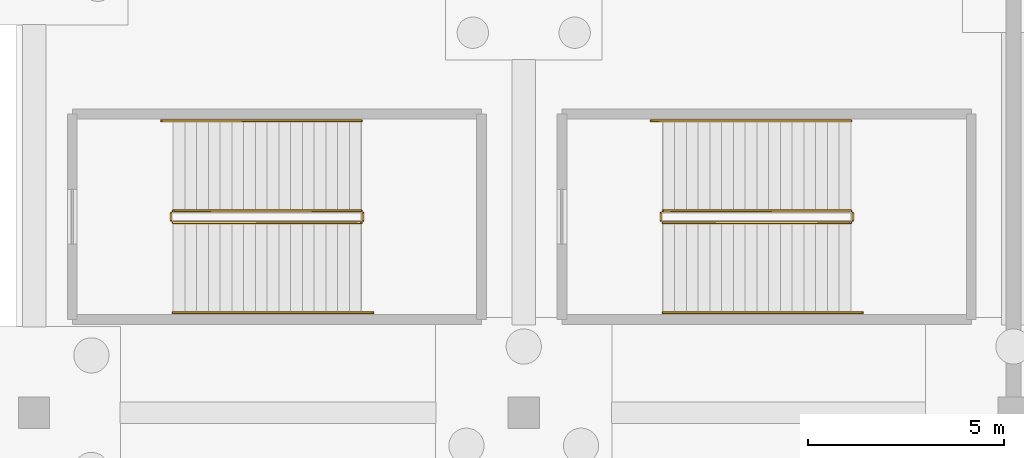
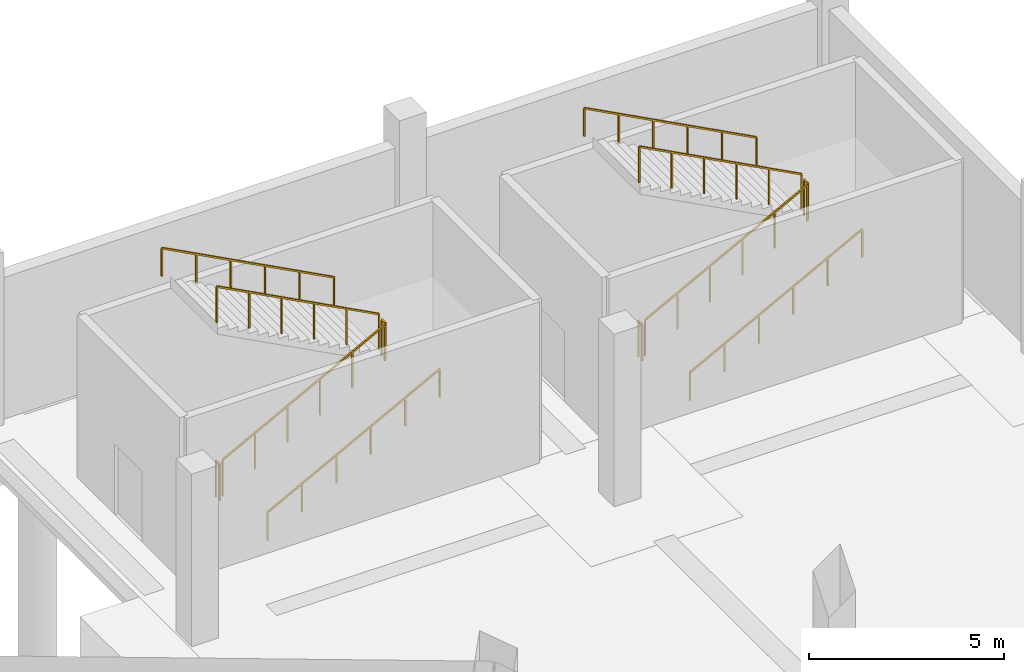
# One storey, part 73 of 74: 12 railings.
"""IFC4 building model written with IfcOpenShell, lengths in metres."""

from ifc_helpers import new_model, si_unit, direction, frame, origin, origin_2d, place, context, subcontext, project, spatial, rectangle, extrude, material, type_object, element, save


model = new_model("IFC4")

# Units and contexts
model_context = context("Model", 3, precision=1e-05, world=origin(), true_north=direction((0.0, 1.0)))
body_context = subcontext(model_context, "Body", "Model", "MODEL_VIEW")
ifc_project = project(units=[si_unit("LENGTHUNIT", "METRE"), si_unit("AREAUNIT", "SQUARE_METRE"), si_unit("VOLUMEUNIT", "CUBIC_METRE"), si_unit("PLANEANGLEUNIT", "RADIAN"), si_unit("MASSUNIT", "GRAM", prefix="KILO")], contexts=[model_context])

# Site, building, storey
site_placement = place(None, origin())
site = spatial("IfcSite", under=ifc_project, at=site_placement, CompositionType="ELEMENT")
building_placement = place(site_placement, origin())
building = spatial("IfcBuilding", under=site, at=building_placement, Name="Zlatoyarsky Gate Stadium", CompositionType="ELEMENT")
storey_placement = place(building_placement, frame((0.0, 0.0, -5.39990234375)))
storey = spatial("IfcBuildingStorey", under=building, at=storey_placement, Name="B1", CompositionType="ELEMENT", Elevation=-5.39990234375)

# Railings
ifc_material_1 = material(Name="Powder-coated steel stair guardrail", Category="steel")
railing_type_1 = type_object("IfcRailingType", Name="PAINTED STEEL STAIR WELL GUARDRAIL 1150", PredefinedType="GUARDRAIL", material=ifc_material_1)
railing_1_placement = place(storey_placement, frame((176.050048828125, 142.85009765625, 0.15869140625)))
element("IfcRailing", 1, at=railing_1_placement, inside=storey, type_object=railing_type_1, Name="ST-27 B1 stair guard 1", PredefinedType="GUARDRAIL", context=body_context, shape_type="SweptSolid", body=[
    extrude(rectangle(XDim=0.048095703125, YDim=0.048095703125, at=origin_2d()), frame((0.0, 0.0, 1.1259765625), z_axis=(0.883783542688, 0.0, 0.467895981682), x_axis=(0.0, 1.0, 0.0)), (0.0, 0.0, 1.0), 5.43115234375),
    extrude(rectangle(XDim=0.0419921875, YDim=0.0419921875, at=origin_2d()), origin(), (0.0, 0.0, 1.0), 1.101806640625),
    extrude(rectangle(XDim=0.0419921875, YDim=0.0419921875, at=origin_2d()), frame((0.9599609375, 0.0, 0.50830078125)), (0.0, 0.0, 1.0), 1.101806640625),
    extrude(rectangle(XDim=0.0419921875, YDim=0.0419921875, at=origin_2d()), frame((1.919921875, 0.0, 1.0166015625)), (0.0, 0.0, 1.0), 1.101806640625),
    extrude(rectangle(XDim=0.0419921875, YDim=0.0419921875, at=origin_2d()), frame((2.880126953125, 0.0, 1.524658203125)), (0.0, 0.0, 1.0), 1.101806640625),
    extrude(rectangle(XDim=0.0419921875, YDim=0.0419921875, at=origin_2d()), frame((3.840087890625, 0.0, 2.032958984375)), (0.0, 0.0, 1.0), 1.101806640625),
    extrude(rectangle(XDim=0.0419921875, YDim=0.0419921875, at=origin_2d()), frame((4.800048828125, 0.0, 2.541259765625)), (0.0, 0.0, 1.0), 1.101806640625),
])
railing_2_placement = place(storey_placement, frame((180.89990234375, 142.89990234375, 2.699951171875)))
element("IfcRailing", 2, at=railing_2_placement, inside=storey, type_object=railing_type_1, Name="ST-27 B1 stair guard 2", PredefinedType="GUARDRAIL", context=body_context, shape_type="SweptSolid", body=[
    extrude(rectangle(XDim=0.048095703125, YDim=0.048095703125, at=origin_2d()), frame((0.0, 0.0, 1.1259765625), z_axis=(0.0, 1.0, 0.0), x_axis=(-1.0, 0.0, 0.0)), (0.0, 0.0, 1.0), 0.2001953125),
    extrude(rectangle(XDim=0.0419921875, YDim=0.0419921875, at=origin_2d()), origin(), (0.0, 0.0, 1.0), 1.101806640625),
    extrude(rectangle(XDim=0.0419921875, YDim=0.0419921875, at=origin_2d()), frame((0.0, 0.2001953125, 0.0)), (0.0, 0.0, 1.0), 1.101806640625),
])
railing_3_placement = place(storey_placement, frame((180.85009765625, 143.14990234375, 2.858642578125)))
element("IfcRailing", 3, at=railing_3_placement, inside=storey, type_object=railing_type_1, Name="ST-27 B1 stair guard 3", PredefinedType="GUARDRAIL", context=body_context, shape_type="SweptSolid", body=[
    extrude(rectangle(XDim=0.048095703125, YDim=0.048095703125, at=origin_2d()), frame((0.0, 0.0, 1.1259765625), z_axis=(-0.883783542688, 0.0, 0.467895981682), x_axis=(0.0, -1.0, 0.0)), (0.0, 0.0, 1.0), 5.43115234375),
    extrude(rectangle(XDim=0.0419921875, YDim=0.0419921875, at=origin_2d()), origin(), (0.0, 0.0, 1.0), 1.101806640625),
    extrude(rectangle(XDim=0.0419921875, YDim=0.0419921875, at=origin_2d()), frame((-0.9599609375, 0.0, 0.50830078125)), (0.0, 0.0, 1.0), 1.101806640625),
    extrude(rectangle(XDim=0.0419921875, YDim=0.0419921875, at=origin_2d()), frame((-1.919921875, 0.0, 1.0166015625)), (0.0, 0.0, 1.0), 1.101806640625),
    extrude(rectangle(XDim=0.0419921875, YDim=0.0419921875, at=origin_2d()), frame((-2.880126953125, 0.0, 1.524658203125)), (0.0, 0.0, 1.0), 1.101806640625),
    extrude(rectangle(XDim=0.0419921875, YDim=0.0419921875, at=origin_2d()), frame((-3.840087890625, 0.0, 2.032958984375)), (0.0, 0.0, 1.0), 1.101806640625),
    extrude(rectangle(XDim=0.0419921875, YDim=0.0419921875, at=origin_2d()), frame((-4.800048828125, 0.0, 2.541259765625)), (0.0, 0.0, 1.0), 1.101806640625),
])
railing_4_placement = place(storey_placement, frame((176.0, 142.89990234375, 0.0)))
element("IfcRailing", 4, at=railing_4_placement, inside=storey, type_object=railing_type_1, Name="ST-27 B1 stair guard 4", PredefinedType="GUARDRAIL", context=body_context, shape_type="SweptSolid", body=[
    extrude(rectangle(XDim=0.048095703125, YDim=0.048095703125, at=origin_2d()), frame((0.0, 0.0, 1.1259765625), z_axis=(0.0, 1.0, 0.0), x_axis=(-1.0, 0.0, 0.0)), (0.0, 0.0, 1.0), 0.2001953125),
    extrude(rectangle(XDim=0.0419921875, YDim=0.0419921875, at=origin_2d()), origin(), (0.0, 0.0, 1.0), 1.101806640625),
    extrude(rectangle(XDim=0.0419921875, YDim=0.0419921875, at=origin_2d()), frame((0.0, 0.2001953125, 0.0)), (0.0, 0.0, 1.0), 1.101806640625),
])
railing_5_placement = place(storey_placement, frame((188.550048828125, 142.85009765625, 0.15869140625)))
element("IfcRailing", 5, at=railing_5_placement, inside=storey, type_object=railing_type_1, Name="ST-28 B1 stair guard 1", PredefinedType="GUARDRAIL", context=body_context, shape_type="SweptSolid", body=[
    extrude(rectangle(XDim=0.048095703125, YDim=0.048095703125, at=origin_2d()), frame((0.0, 0.0, 1.1259765625), z_axis=(0.883783542688, 0.0, 0.467895981682), x_axis=(0.0, 1.0, 0.0)), (0.0, 0.0, 1.0), 5.43115234375),
    extrude(rectangle(XDim=0.0419921875, YDim=0.0419921875, at=origin_2d()), origin(), (0.0, 0.0, 1.0), 1.101806640625),
    extrude(rectangle(XDim=0.0419921875, YDim=0.0419921875, at=origin_2d()), frame((0.9599609375, 0.0, 0.50830078125)), (0.0, 0.0, 1.0), 1.101806640625),
    extrude(rectangle(XDim=0.0419921875, YDim=0.0419921875, at=origin_2d()), frame((1.919921875, 0.0, 1.0166015625)), (0.0, 0.0, 1.0), 1.101806640625),
    extrude(rectangle(XDim=0.0419921875, YDim=0.0419921875, at=origin_2d()), frame((2.880126953125, 0.0, 1.524658203125)), (0.0, 0.0, 1.0), 1.101806640625),
    extrude(rectangle(XDim=0.0419921875, YDim=0.0419921875, at=origin_2d()), frame((3.840087890625, 0.0, 2.032958984375)), (0.0, 0.0, 1.0), 1.101806640625),
    extrude(rectangle(XDim=0.0419921875, YDim=0.0419921875, at=origin_2d()), frame((4.800048828125, 0.0, 2.541259765625)), (0.0, 0.0, 1.0), 1.101806640625),
])
railing_6_placement = place(storey_placement, frame((193.39990234375, 142.89990234375, 2.699951171875)))
element("IfcRailing", 6, at=railing_6_placement, inside=storey, type_object=railing_type_1, Name="ST-28 B1 stair guard 2", PredefinedType="GUARDRAIL", context=body_context, shape_type="SweptSolid", body=[
    extrude(rectangle(XDim=0.048095703125, YDim=0.048095703125, at=origin_2d()), frame((0.0, 0.0, 1.1259765625), z_axis=(0.0, 1.0, 0.0), x_axis=(-1.0, 0.0, 0.0)), (0.0, 0.0, 1.0), 0.2001953125),
    extrude(rectangle(XDim=0.0419921875, YDim=0.0419921875, at=origin_2d()), origin(), (0.0, 0.0, 1.0), 1.101806640625),
    extrude(rectangle(XDim=0.0419921875, YDim=0.0419921875, at=origin_2d()), frame((0.0, 0.2001953125, 0.0)), (0.0, 0.0, 1.0), 1.101806640625),
])
railing_7_placement = place(storey_placement, frame((193.35009765625, 143.14990234375, 2.858642578125)))
element("IfcRailing", 7, at=railing_7_placement, inside=storey, type_object=railing_type_1, Name="ST-28 B1 stair guard 3", PredefinedType="GUARDRAIL", context=body_context, shape_type="SweptSolid", body=[
    extrude(rectangle(XDim=0.048095703125, YDim=0.048095703125, at=origin_2d()), frame((0.0, 0.0, 1.1259765625), z_axis=(-0.883783542688, 0.0, 0.467895981682), x_axis=(0.0, -1.0, 0.0)), (0.0, 0.0, 1.0), 5.43115234375),
    extrude(rectangle(XDim=0.0419921875, YDim=0.0419921875, at=origin_2d()), origin(), (0.0, 0.0, 1.0), 1.101806640625),
    extrude(rectangle(XDim=0.0419921875, YDim=0.0419921875, at=origin_2d()), frame((-0.9599609375, 0.0, 0.50830078125)), (0.0, 0.0, 1.0), 1.101806640625),
    extrude(rectangle(XDim=0.0419921875, YDim=0.0419921875, at=origin_2d()), frame((-1.919921875, 0.0, 1.0166015625)), (0.0, 0.0, 1.0), 1.101806640625),
    extrude(rectangle(XDim=0.0419921875, YDim=0.0419921875, at=origin_2d()), frame((-2.880126953125, 0.0, 1.524658203125)), (0.0, 0.0, 1.0), 1.101806640625),
    extrude(rectangle(XDim=0.0419921875, YDim=0.0419921875, at=origin_2d()), frame((-3.840087890625, 0.0, 2.032958984375)), (0.0, 0.0, 1.0), 1.101806640625),
    extrude(rectangle(XDim=0.0419921875, YDim=0.0419921875, at=origin_2d()), frame((-4.800048828125, 0.0, 2.541259765625)), (0.0, 0.0, 1.0), 1.101806640625),
])
railing_8_placement = place(storey_placement, frame((188.5, 142.89990234375, 0.0)))
element("IfcRailing", 8, at=railing_8_placement, inside=storey, type_object=railing_type_1, Name="ST-28 B1 stair guard 4", PredefinedType="GUARDRAIL", context=body_context, shape_type="SweptSolid", body=[
    extrude(rectangle(XDim=0.048095703125, YDim=0.048095703125, at=origin_2d()), frame((0.0, 0.0, 1.1259765625), z_axis=(0.0, 1.0, 0.0), x_axis=(-1.0, 0.0, 0.0)), (0.0, 0.0, 1.0), 0.2001953125),
    extrude(rectangle(XDim=0.0419921875, YDim=0.0419921875, at=origin_2d()), origin(), (0.0, 0.0, 1.0), 1.101806640625),
    extrude(rectangle(XDim=0.0419921875, YDim=0.0419921875, at=origin_2d()), frame((0.0, 0.2001953125, 0.0)), (0.0, 0.0, 1.0), 1.101806640625),
])
ifc_material_2 = material(Name="Brushed stainless steel 316 handrail", Category="steel")
railing_type_2 = type_object("IfcRailingType", Name="STAINLESS STEEL TUBULAR HANDRAIL 900", PredefinedType="HANDRAIL", material=ifc_material_2)
railing_9_placement = place(storey_placement, frame((176.050048828125, 140.550048828125, 0.162841796875)))
element("IfcRailing", 9, at=railing_9_placement, inside=storey, type_object=railing_type_2, Name="ST-27 B1 stair handrail 1", PredefinedType="HANDRAIL", context=body_context, shape_type="SweptSolid", body=[
    extrude(rectangle(XDim=0.048095703125, YDim=0.048095703125, at=origin_2d()), frame((0.0, 0.0, 0.8759765625), z_axis=(0.883785858079, 0.0, 0.467891608238), x_axis=(0.0, 1.0, 0.0)), (0.0, 0.0, 1.0), 5.7705078125),
    extrude(rectangle(XDim=0.0419921875, YDim=0.0419921875, at=origin_2d()), origin(), (0.0, 0.0, 1.0), 0.851806640625),
    extrude(rectangle(XDim=0.0419921875, YDim=0.0419921875, at=origin_2d()), frame((1.02001953125, 0.0, 0.5400390625)), (0.0, 0.0, 1.0), 0.851806640625),
    extrude(rectangle(XDim=0.0419921875, YDim=0.0419921875, at=origin_2d()), frame((2.0400390625, 0.0, 1.080078125)), (0.0, 0.0, 1.0), 0.851806640625),
    extrude(rectangle(XDim=0.0419921875, YDim=0.0419921875, at=origin_2d()), frame((3.059814453125, 0.0, 1.619873046875)), (0.0, 0.0, 1.0), 0.851806640625),
    extrude(rectangle(XDim=0.0419921875, YDim=0.0419921875, at=origin_2d()), frame((4.079833984375, 0.0, 2.159912109375)), (0.0, 0.0, 1.0), 0.851806640625),
    extrude(rectangle(XDim=0.0419921875, YDim=0.0419921875, at=origin_2d()), frame((5.099853515625, 0.0, 2.699951171875)), (0.0, 0.0, 1.0), 0.851806640625),
])
railing_10_placement = place(storey_placement, frame((180.85009765625, 145.449951171875, 2.86279296875)))
element("IfcRailing", 10, at=railing_10_placement, inside=storey, type_object=railing_type_2, Name="ST-27 B1 stair handrail 2", PredefinedType="HANDRAIL", context=body_context, shape_type="SweptSolid", body=[
    extrude(rectangle(XDim=0.048095703125, YDim=0.048095703125, at=origin_2d()), frame((0.0, 0.0, 0.8759765625), z_axis=(-0.883795119882, 0.0, 0.467874113489), x_axis=(0.0, -1.0, 0.0)), (0.0, 0.0, 1.0), 5.770751953125),
    extrude(rectangle(XDim=0.0419921875, YDim=0.0419921875, at=origin_2d()), origin(), (0.0, 0.0, 1.0), 0.851806640625),
    extrude(rectangle(XDim=0.0419921875, YDim=0.0419921875, at=origin_2d()), frame((-1.02001953125, 0.0, 0.5400390625)), (0.0, 0.0, 1.0), 0.851806640625),
    extrude(rectangle(XDim=0.0419921875, YDim=0.0419921875, at=origin_2d()), frame((-2.0400390625, 0.0, 1.080078125)), (0.0, 0.0, 1.0), 0.851806640625),
    extrude(rectangle(XDim=0.0419921875, YDim=0.0419921875, at=origin_2d()), frame((-3.06005859375, 0.0, 1.619873046875)), (0.0, 0.0, 1.0), 0.851806640625),
    extrude(rectangle(XDim=0.0419921875, YDim=0.0419921875, at=origin_2d()), frame((-4.080078125, 0.0, 2.159912109375)), (0.0, 0.0, 1.0), 0.851806640625),
    extrude(rectangle(XDim=0.0419921875, YDim=0.0419921875, at=origin_2d()), frame((-5.10009765625, 0.0, 2.699951171875)), (0.0, 0.0, 1.0), 0.851806640625),
])
railing_11_placement = place(storey_placement, frame((188.550048828125, 140.550048828125, 0.162841796875)))
element("IfcRailing", 11, at=railing_11_placement, inside=storey, type_object=railing_type_2, Name="ST-28 B1 stair handrail 1", PredefinedType="HANDRAIL", context=body_context, shape_type="SweptSolid", body=[
    extrude(rectangle(XDim=0.048095703125, YDim=0.048095703125, at=origin_2d()), frame((0.0, 0.0, 0.8759765625), z_axis=(0.883785858079, 0.0, 0.467891608238), x_axis=(0.0, 1.0, 0.0)), (0.0, 0.0, 1.0), 5.7705078125),
    extrude(rectangle(XDim=0.0419921875, YDim=0.0419921875, at=origin_2d()), origin(), (0.0, 0.0, 1.0), 0.851806640625),
    extrude(rectangle(XDim=0.0419921875, YDim=0.0419921875, at=origin_2d()), frame((1.02001953125, 0.0, 0.5400390625)), (0.0, 0.0, 1.0), 0.851806640625),
    extrude(rectangle(XDim=0.0419921875, YDim=0.0419921875, at=origin_2d()), frame((2.0400390625, 0.0, 1.080078125)), (0.0, 0.0, 1.0), 0.851806640625),
    extrude(rectangle(XDim=0.0419921875, YDim=0.0419921875, at=origin_2d()), frame((3.059814453125, 0.0, 1.619873046875)), (0.0, 0.0, 1.0), 0.851806640625),
    extrude(rectangle(XDim=0.0419921875, YDim=0.0419921875, at=origin_2d()), frame((4.079833984375, 0.0, 2.159912109375)), (0.0, 0.0, 1.0), 0.851806640625),
    extrude(rectangle(XDim=0.0419921875, YDim=0.0419921875, at=origin_2d()), frame((5.099853515625, 0.0, 2.699951171875)), (0.0, 0.0, 1.0), 0.851806640625),
])
railing_12_placement = place(storey_placement, frame((193.35009765625, 145.449951171875, 2.86279296875)))
element("IfcRailing", 12, at=railing_12_placement, inside=storey, type_object=railing_type_2, Name="ST-28 B1 stair handrail 2", PredefinedType="HANDRAIL", context=body_context, shape_type="SweptSolid", body=[
    extrude(rectangle(XDim=0.048095703125, YDim=0.048095703125, at=origin_2d()), frame((0.0, 0.0, 0.8759765625), z_axis=(-0.883795119882, 0.0, 0.467874113489), x_axis=(0.0, -1.0, 0.0)), (0.0, 0.0, 1.0), 5.770751953125),
    extrude(rectangle(XDim=0.0419921875, YDim=0.0419921875, at=origin_2d()), origin(), (0.0, 0.0, 1.0), 0.851806640625),
    extrude(rectangle(XDim=0.0419921875, YDim=0.0419921875, at=origin_2d()), frame((-1.02001953125, 0.0, 0.5400390625)), (0.0, 0.0, 1.0), 0.851806640625),
    extrude(rectangle(XDim=0.0419921875, YDim=0.0419921875, at=origin_2d()), frame((-2.0400390625, 0.0, 1.080078125)), (0.0, 0.0, 1.0), 0.851806640625),
    extrude(rectangle(XDim=0.0419921875, YDim=0.0419921875, at=origin_2d()), frame((-3.06005859375, 0.0, 1.619873046875)), (0.0, 0.0, 1.0), 0.851806640625),
    extrude(rectangle(XDim=0.0419921875, YDim=0.0419921875, at=origin_2d()), frame((-4.080078125, 0.0, 2.159912109375)), (0.0, 0.0, 1.0), 0.851806640625),
    extrude(rectangle(XDim=0.0419921875, YDim=0.0419921875, at=origin_2d()), frame((-5.10009765625, 0.0, 2.699951171875)), (0.0, 0.0, 1.0), 0.851806640625),
])

save(model, "model.ifc")
